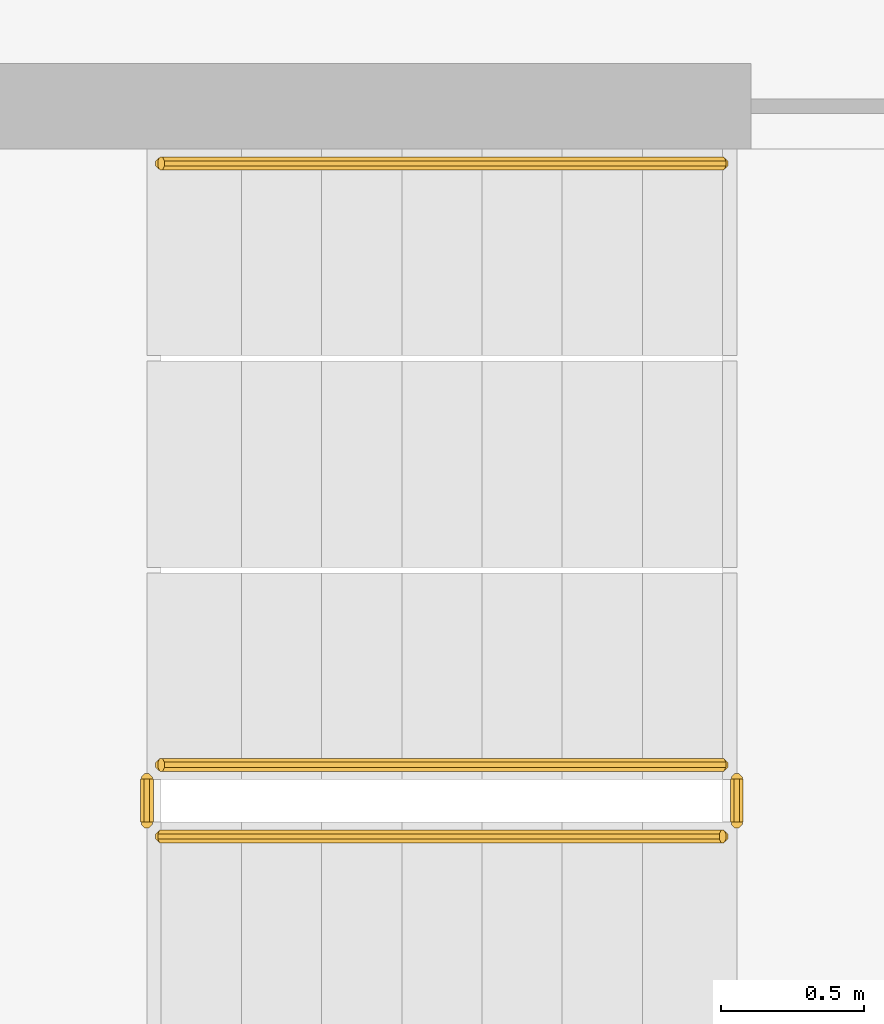
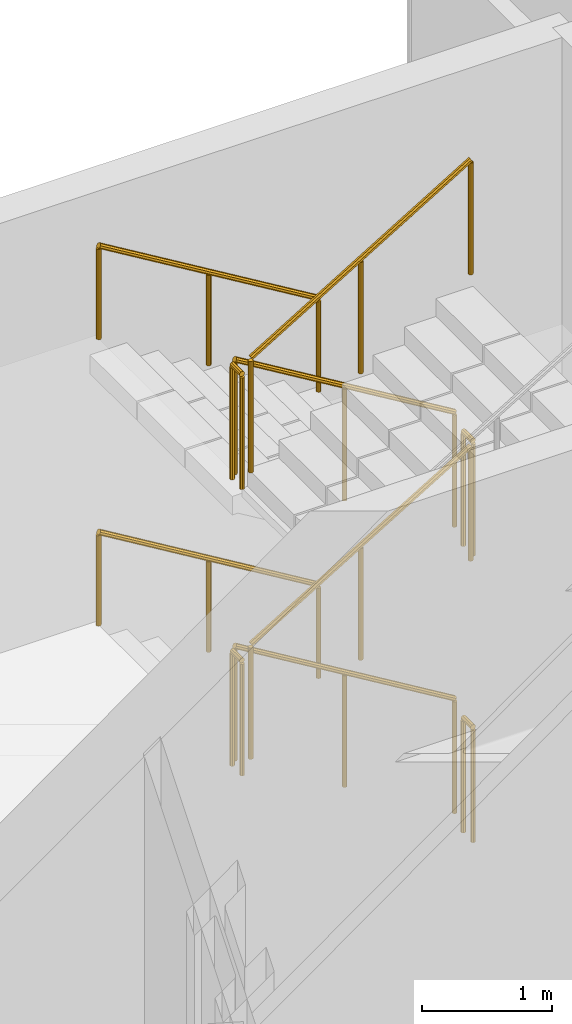
# One storey, part 20 of 31: 10 railings.
"""IFC4 building model written with IfcOpenShell, lengths in metres."""

from ifc_helpers import new_model, si_unit, direction, frame, origin, place, context, subcontext, project, spatial, polyline, outline, extrude, material, type_object, element, save


model = new_model("IFC4")

# Units and contexts
model_context = context("Model", 3, precision=1e-05, world=origin(), true_north=direction((0.0, 1.0)))
body_context = subcontext(model_context, "Body", "Model", "MODEL_VIEW")
ifc_project = project(units=[si_unit("LENGTHUNIT", "METRE"), si_unit("AREAUNIT", "SQUARE_METRE"), si_unit("VOLUMEUNIT", "CUBIC_METRE"), si_unit("PLANEANGLEUNIT", "RADIAN"), si_unit("MASSUNIT", "GRAM", prefix="KILO")], contexts=[model_context])

# Site, building, storey
site_placement = place(None, origin())
site = spatial("IfcSite", under=ifc_project, at=site_placement, CompositionType="ELEMENT")
building_placement = place(site_placement, origin())
building = spatial("IfcBuilding", under=site, at=building_placement, Name="Cormorant Relay Tower", CompositionType="ELEMENT")
storey_placement = place(building_placement, frame((0.0, 0.0, 50.0)))
storey = spatial("IfcBuildingStorey", under=building, at=storey_placement, Name="L09", CompositionType="ELEMENT", Elevation=50.0)

# Railings
ifc_material_1 = material(Name="Steel ASTM A572 Grade 50 (Fy 345 MPa)", Category="steel")
railing_type_1 = type_object("IfcRailingType", Name="Stair guard 1100", PredefinedType="GUARDRAIL", material=ifc_material_1)
railing_1_placement = place(storey_placement, frame((1.60009765625, -18.27490234375, 0.168701171875)))
element("IfcRailing", 1, at=railing_1_placement, inside=storey, type_object=railing_type_1, Name="L09 RK1 stair guard 1", PredefinedType="GUARDRAIL", context=body_context, shape_type="SweptSolid", body=[
    extrude(outline(polyline([(0.022216796875, 0.00927734375), (0.00927734375, 0.022216796875), (-0.00927734375, 0.022216796875), (-0.022216796875, 0.00927734375), (-0.022216796875, -0.00927734375), (-0.00927734375, -0.022216796875), (0.00927734375, -0.022216796875), (0.022216796875, -0.00927734375), (0.022216796875, 0.00927734375)])), frame((0.0, 0.0, 1.076171875), z_axis=(-0.856474724393, 0.0, 0.516188963923), x_axis=(0.0, -1.0, 0.0)), (0.0, 0.0, 1.0), 2.28857421875),
    extrude(outline(polyline([(0.019287109375, 0.008056640625), (0.008056640625, 0.019287109375), (-0.008056640625, 0.019287109375), (-0.019287109375, 0.008056640625), (-0.019287109375, -0.008056640625), (-0.008056640625, -0.019287109375), (0.008056640625, -0.019287109375), (0.019287109375, -0.008056640625), (0.019287109375, 0.008056640625)])), origin(), (0.0, 0.0, 1.0), 1.052001953125),
    extrude(outline(polyline([(0.019287109375, 0.008056640625), (0.008056640625, 0.019287109375), (-0.008056640625, 0.019287109375), (-0.019287109375, 0.008056640625), (-0.019287109375, -0.008056640625), (-0.008056640625, -0.019287109375), (0.008056640625, -0.019287109375), (0.019287109375, -0.008056640625), (0.019287109375, 0.008056640625)])), frame((-0.97998046875, 0.0, 0.5908203125)), (0.0, 0.0, 1.0), 1.052001953125),
    extrude(outline(polyline([(0.019287109375, 0.008056640625), (0.008056640625, 0.019287109375), (-0.008056640625, 0.019287109375), (-0.019287109375, 0.008056640625), (-0.019287109375, -0.008056640625), (-0.008056640625, -0.019287109375), (0.008056640625, -0.019287109375), (0.019287109375, -0.008056640625), (0.019287109375, 0.008056640625)])), frame((-1.960205078125, 0.0, 1.181396484375)), (0.0, 0.0, 1.0), 1.052001953125),
])
railing_2_placement = place(storey_placement, frame((-0.409912109375, -18.324951171875, 1.35009765625)))
element("IfcRailing", 2, at=railing_2_placement, inside=storey, type_object=railing_type_1, Name="L09 RK1 stair guard 2", PredefinedType="GUARDRAIL", context=body_context, shape_type="SweptSolid", body=[
    extrude(outline(polyline([(0.022216796875, 0.00927734375), (0.00927734375, 0.022216796875), (-0.00927734375, 0.022216796875), (-0.022216796875, 0.00927734375), (-0.022216796875, -0.00927734375), (-0.00927734375, -0.022216796875), (0.00927734375, -0.022216796875), (0.022216796875, -0.00927734375), (0.022216796875, 0.00927734375)])), frame((0.0, 0.0, 1.076171875), z_axis=(0.0, -1.0, 0.0), x_axis=(1.0, 0.0, 0.0)), (0.0, 0.0, 1.0), 0.150146484375),
    extrude(outline(polyline([(0.019287109375, 0.008056640625), (0.008056640625, 0.019287109375), (-0.008056640625, 0.019287109375), (-0.019287109375, 0.008056640625), (-0.019287109375, -0.008056640625), (-0.008056640625, -0.019287109375), (0.008056640625, -0.019287109375), (0.019287109375, -0.008056640625), (0.019287109375, 0.008056640625)])), origin(), (0.0, 0.0, 1.0), 1.052001953125),
    extrude(outline(polyline([(0.019287109375, 0.008056640625), (0.008056640625, 0.019287109375), (-0.008056640625, 0.019287109375), (-0.019287109375, 0.008056640625), (-0.019287109375, -0.008056640625), (-0.008056640625, -0.019287109375), (0.008056640625, -0.019287109375), (0.019287109375, -0.008056640625), (0.019287109375, 0.008056640625)])), frame((0.0, -0.150146484375, 0.0)), (0.0, 0.0, 1.0), 1.052001953125),
])
railing_3_placement = place(storey_placement, frame((-0.360107421875, -18.52490234375, 1.518798828125)))
element("IfcRailing", 3, at=railing_3_placement, inside=storey, type_object=railing_type_1, Name="L09 RK1 stair guard 3", PredefinedType="GUARDRAIL", context=body_context, shape_type="SweptSolid", body=[
    extrude(outline(polyline([(0.022216796875, 0.00927734375), (0.00927734375, 0.022216796875), (-0.00927734375, 0.022216796875), (-0.022216796875, 0.00927734375), (-0.022216796875, -0.00927734375), (-0.00927734375, -0.022216796875), (0.00927734375, -0.022216796875), (0.022216796875, -0.00927734375), (0.022216796875, 0.00927734375)])), frame((0.0, 0.0, 1.076171875), z_axis=(0.856521883693, 0.0, 0.516110707847), x_axis=(0.0, 1.0, 0.0)), (0.0, 0.0, 1.0), 2.28857421875),
    extrude(outline(polyline([(0.019287109375, 0.008056640625), (0.008056640625, 0.019287109375), (-0.008056640625, 0.019287109375), (-0.019287109375, 0.008056640625), (-0.019287109375, -0.008056640625), (-0.008056640625, -0.019287109375), (0.008056640625, -0.019287109375), (0.019287109375, -0.008056640625), (0.019287109375, 0.008056640625)])), origin(), (0.0, 0.0, 1.0), 1.052001953125),
    extrude(outline(polyline([(0.019287109375, 0.008056640625), (0.008056640625, 0.019287109375), (-0.008056640625, 0.019287109375), (-0.019287109375, 0.008056640625), (-0.019287109375, -0.008056640625), (-0.008056640625, -0.019287109375), (0.008056640625, -0.019287109375), (0.019287109375, -0.008056640625), (0.019287109375, 0.008056640625)])), frame((0.97998046875, 0.0, 0.590576171875)), (0.0, 0.0, 1.0), 1.052001953125),
    extrude(outline(polyline([(0.019287109375, 0.008056640625), (0.008056640625, 0.019287109375), (-0.008056640625, 0.019287109375), (-0.019287109375, 0.008056640625), (-0.019287109375, -0.008056640625), (-0.008056640625, -0.019287109375), (0.008056640625, -0.019287109375), (0.019287109375, -0.008056640625), (0.019287109375, 0.008056640625)])), frame((1.960205078125, 0.0, 1.18115234375)), (0.0, 0.0, 1.0), 1.052001953125),
])
railing_4_placement = place(storey_placement, frame((1.64990234375, -18.324951171875, 2.699951171875)))
element("IfcRailing", 4, at=railing_4_placement, inside=storey, type_object=railing_type_1, Name="L09 RK1 stair guard 4", PredefinedType="GUARDRAIL", context=body_context, shape_type="SweptSolid", body=[
    extrude(outline(polyline([(0.022216796875, 0.00927734375), (0.00927734375, 0.022216796875), (-0.00927734375, 0.022216796875), (-0.022216796875, 0.00927734375), (-0.022216796875, -0.00927734375), (-0.00927734375, -0.022216796875), (0.00927734375, -0.022216796875), (0.022216796875, -0.00927734375), (0.022216796875, 0.00927734375)])), frame((0.0, 0.0, 1.076171875), z_axis=(0.0, -1.0, 0.0), x_axis=(1.0, 0.0, 0.0)), (0.0, 0.0, 1.0), 0.150146484375),
    extrude(outline(polyline([(0.019287109375, 0.008056640625), (0.008056640625, 0.019287109375), (-0.008056640625, 0.019287109375), (-0.019287109375, 0.008056640625), (-0.019287109375, -0.008056640625), (-0.008056640625, -0.019287109375), (0.008056640625, -0.019287109375), (0.019287109375, -0.008056640625), (0.019287109375, 0.008056640625)])), origin(), (0.0, 0.0, 1.0), 1.052001953125),
    extrude(outline(polyline([(0.019287109375, 0.008056640625), (0.008056640625, 0.019287109375), (-0.008056640625, 0.019287109375), (-0.019287109375, 0.008056640625), (-0.019287109375, -0.008056640625), (-0.008056640625, -0.019287109375), (0.008056640625, -0.019287109375), (0.019287109375, -0.008056640625), (0.019287109375, 0.008056640625)])), frame((0.0, -0.150146484375, 0.0)), (0.0, 0.0, 1.0), 1.052001953125),
])
railing_5_placement = place(storey_placement, frame((1.60009765625, -18.27490234375, 2.86865234375)))
element("IfcRailing", 5, at=railing_5_placement, inside=storey, type_object=railing_type_1, Name="L09 RK1 stair guard 5", PredefinedType="GUARDRAIL", context=body_context, shape_type="SweptSolid", body=[
    extrude(outline(polyline([(0.022216796875, 0.00927734375), (0.00927734375, 0.022216796875), (-0.00927734375, 0.022216796875), (-0.022216796875, 0.00927734375), (-0.022216796875, -0.00927734375), (-0.00927734375, -0.022216796875), (0.00927734375, -0.022216796875), (0.022216796875, -0.00927734375), (0.022216796875, 0.00927734375)])), frame((0.0, 0.0, 1.076171875), z_axis=(-0.856474724393, 0.0, 0.516188963923), x_axis=(0.0, -1.0, 0.0)), (0.0, 0.0, 1.0), 2.28857421875),
    extrude(outline(polyline([(0.019287109375, 0.008056640625), (0.008056640625, 0.019287109375), (-0.008056640625, 0.019287109375), (-0.019287109375, 0.008056640625), (-0.019287109375, -0.008056640625), (-0.008056640625, -0.019287109375), (0.008056640625, -0.019287109375), (0.019287109375, -0.008056640625), (0.019287109375, 0.008056640625)])), origin(), (0.0, 0.0, 1.0), 1.052001953125),
    extrude(outline(polyline([(0.019287109375, 0.008056640625), (0.008056640625, 0.019287109375), (-0.008056640625, 0.019287109375), (-0.019287109375, 0.008056640625), (-0.019287109375, -0.008056640625), (-0.008056640625, -0.019287109375), (0.008056640625, -0.019287109375), (0.019287109375, -0.008056640625), (0.019287109375, 0.008056640625)])), frame((-0.97998046875, 0.0, 0.5908203125)), (0.0, 0.0, 1.0), 1.052001953125),
    extrude(outline(polyline([(0.019287109375, 0.008056640625), (0.008056640625, 0.019287109375), (-0.008056640625, 0.019287109375), (-0.019287109375, 0.008056640625), (-0.019287109375, -0.008056640625), (-0.008056640625, -0.019287109375), (0.008056640625, -0.019287109375), (0.019287109375, -0.008056640625), (0.019287109375, 0.008056640625)])), frame((-1.960205078125, 0.0, 1.181396484375)), (0.0, 0.0, 1.0), 1.052001953125),
])
railing_6_placement = place(storey_placement, frame((-0.409912109375, -18.324951171875, 4.050048828125)))
element("IfcRailing", 6, at=railing_6_placement, inside=storey, type_object=railing_type_1, Name="L09 RK1 stair guard 6", PredefinedType="GUARDRAIL", context=body_context, shape_type="SweptSolid", body=[
    extrude(outline(polyline([(0.022216796875, 0.00927734375), (0.00927734375, 0.022216796875), (-0.00927734375, 0.022216796875), (-0.022216796875, 0.00927734375), (-0.022216796875, -0.00927734375), (-0.00927734375, -0.022216796875), (0.00927734375, -0.022216796875), (0.022216796875, -0.00927734375), (0.022216796875, 0.00927734375)])), frame((0.0, 0.0, 1.076171875), z_axis=(0.0, -1.0, 0.0), x_axis=(1.0, 0.0, 0.0)), (0.0, 0.0, 1.0), 0.150146484375),
    extrude(outline(polyline([(0.019287109375, 0.008056640625), (0.008056640625, 0.019287109375), (-0.008056640625, 0.019287109375), (-0.019287109375, 0.008056640625), (-0.019287109375, -0.008056640625), (-0.008056640625, -0.019287109375), (0.008056640625, -0.019287109375), (0.019287109375, -0.008056640625), (0.019287109375, 0.008056640625)])), origin(), (0.0, 0.0, 1.0), 1.052001953125),
    extrude(outline(polyline([(0.019287109375, 0.008056640625), (0.008056640625, 0.019287109375), (-0.008056640625, 0.019287109375), (-0.019287109375, 0.008056640625), (-0.019287109375, -0.008056640625), (-0.008056640625, -0.019287109375), (0.008056640625, -0.019287109375), (0.019287109375, -0.008056640625), (0.019287109375, 0.008056640625)])), frame((0.0, -0.150146484375, 0.0)), (0.0, 0.0, 1.0), 1.052001953125),
])
railing_7_placement = place(storey_placement, frame((-0.360107421875, -18.52490234375, 4.21875)))
element("IfcRailing", 7, at=railing_7_placement, inside=storey, type_object=railing_type_1, Name="L09 RK1 stair guard 7", PredefinedType="GUARDRAIL", context=body_context, shape_type="SweptSolid", body=[
    extrude(outline(polyline([(0.022216796875, 0.00927734375), (0.00927734375, 0.022216796875), (-0.00927734375, 0.022216796875), (-0.022216796875, 0.00927734375), (-0.022216796875, -0.00927734375), (-0.00927734375, -0.022216796875), (0.00927734375, -0.022216796875), (0.022216796875, -0.00927734375), (0.022216796875, 0.00927734375)])), frame((0.0, 0.0, 1.076171875), z_axis=(0.856521883693, 0.0, 0.516110707847), x_axis=(0.0, 1.0, 0.0)), (0.0, 0.0, 1.0), 2.28857421875),
    extrude(outline(polyline([(0.019287109375, 0.008056640625), (0.008056640625, 0.019287109375), (-0.008056640625, 0.019287109375), (-0.019287109375, 0.008056640625), (-0.019287109375, -0.008056640625), (-0.008056640625, -0.019287109375), (0.008056640625, -0.019287109375), (0.019287109375, -0.008056640625), (0.019287109375, 0.008056640625)])), origin(), (0.0, 0.0, 1.0), 1.052001953125),
    extrude(outline(polyline([(0.019287109375, 0.008056640625), (0.008056640625, 0.019287109375), (-0.008056640625, 0.019287109375), (-0.019287109375, 0.008056640625), (-0.019287109375, -0.008056640625), (-0.008056640625, -0.019287109375), (0.008056640625, -0.019287109375), (0.019287109375, -0.008056640625), (0.019287109375, 0.008056640625)])), frame((0.97998046875, 0.0, 0.590576171875)), (0.0, 0.0, 1.0), 1.052001953125),
    extrude(outline(polyline([(0.019287109375, 0.008056640625), (0.008056640625, 0.019287109375), (-0.008056640625, 0.019287109375), (-0.019287109375, 0.008056640625), (-0.019287109375, -0.008056640625), (-0.008056640625, -0.019287109375), (0.008056640625, -0.019287109375), (0.019287109375, -0.008056640625), (0.019287109375, 0.008056640625)])), frame((1.960205078125, 0.0, 1.18115234375)), (0.0, 0.0, 1.0), 1.052001953125),
])
railing_8_placement = place(storey_placement, frame((1.64990234375, -18.324951171875, 0.0)))
element("IfcRailing", 8, at=railing_8_placement, inside=storey, type_object=railing_type_1, Name="L09 RK1 stair guard 8", PredefinedType="GUARDRAIL", context=body_context, shape_type="SweptSolid", body=[
    extrude(outline(polyline([(0.022216796875, 0.00927734375), (0.00927734375, 0.022216796875), (-0.00927734375, 0.022216796875), (-0.022216796875, 0.00927734375), (-0.022216796875, -0.00927734375), (-0.00927734375, -0.022216796875), (0.00927734375, -0.022216796875), (0.022216796875, -0.00927734375), (0.022216796875, 0.00927734375)])), frame((0.0, 0.0, 1.076171875), z_axis=(0.0, -1.0, 0.0), x_axis=(1.0, 0.0, 0.0)), (0.0, 0.0, 1.0), 0.150146484375),
    extrude(outline(polyline([(0.019287109375, 0.008056640625), (0.008056640625, 0.019287109375), (-0.008056640625, 0.019287109375), (-0.019287109375, 0.008056640625), (-0.019287109375, -0.008056640625), (-0.008056640625, -0.019287109375), (0.008056640625, -0.019287109375), (0.019287109375, -0.008056640625), (0.019287109375, 0.008056640625)])), origin(), (0.0, 0.0, 1.0), 1.052001953125),
    extrude(outline(polyline([(0.019287109375, 0.008056640625), (0.008056640625, 0.019287109375), (-0.008056640625, 0.019287109375), (-0.019287109375, 0.008056640625), (-0.019287109375, -0.008056640625), (-0.008056640625, -0.019287109375), (0.008056640625, -0.019287109375), (0.019287109375, -0.008056640625), (0.019287109375, 0.008056640625)])), frame((0.0, -0.150146484375, 0.0)), (0.0, 0.0, 1.0), 1.052001953125),
])
ifc_material_2 = material(Name="Steel ASTM A572 Grade 50 (Fy 345 MPa)", Category="steel")
railing_type_2 = type_object("IfcRailingType", Name="Stair handrail 900", PredefinedType="HANDRAIL", material=ifc_material_2)
for number, where, name in (
    (9, (1.60009765625, -16.175048828125, 0.168701171875), "L09 RK1 stair handrail 1"),
    (10, (1.60009765625, -16.175048828125, 2.86865234375), "L09 RK1 stair handrail 3"),
):
    element("IfcRailing", number, at=place(storey_placement, frame(where)), inside=storey, type_object=railing_type_2, Name=name, PredefinedType="HANDRAIL", context=body_context, shape_type="SweptSolid", body=[
        extrude(outline(polyline([(0.022216796875, 0.00927734375), (0.00927734375, 0.022216796875), (-0.00927734375, 0.022216796875), (-0.022216796875, 0.00927734375), (-0.022216796875, -0.00927734375), (-0.00927734375, -0.022216796875), (0.00927734375, -0.022216796875), (0.022216796875, -0.00927734375), (0.022216796875, 0.00927734375)])), frame((0.0, 0.0, 0.8759765625), z_axis=(-0.856474724393, 0.0, 0.516188963923), x_axis=(0.0, -1.0, 0.0)), (0.0, 0.0, 1.0), 2.28857421875),
        extrude(outline(polyline([(0.019287109375, 0.008056640625), (0.008056640625, 0.019287109375), (-0.008056640625, 0.019287109375), (-0.019287109375, 0.008056640625), (-0.019287109375, -0.008056640625), (-0.008056640625, -0.019287109375), (0.008056640625, -0.019287109375), (0.019287109375, -0.008056640625), (0.019287109375, 0.008056640625)])), origin(), (0.0, 0.0, 1.0), 0.851806640625),
        extrude(outline(polyline([(0.019287109375, 0.008056640625), (0.008056640625, 0.019287109375), (-0.008056640625, 0.019287109375), (-0.019287109375, 0.008056640625), (-0.019287109375, -0.008056640625), (-0.008056640625, -0.019287109375), (0.008056640625, -0.019287109375), (0.019287109375, -0.008056640625), (0.019287109375, 0.008056640625)])), frame((-0.97998046875, 0.0, 0.5908203125)), (0.0, 0.0, 1.0), 0.851806640625),
        extrude(outline(polyline([(0.019287109375, 0.008056640625), (0.008056640625, 0.019287109375), (-0.008056640625, 0.019287109375), (-0.019287109375, 0.008056640625), (-0.019287109375, -0.008056640625), (-0.008056640625, -0.019287109375), (0.008056640625, -0.019287109375), (0.019287109375, -0.008056640625), (0.019287109375, 0.008056640625)])), frame((-1.960205078125, 0.0, 1.181396484375)), (0.0, 0.0, 1.0), 0.851806640625),
    ])

save(model, "model.ifc")
